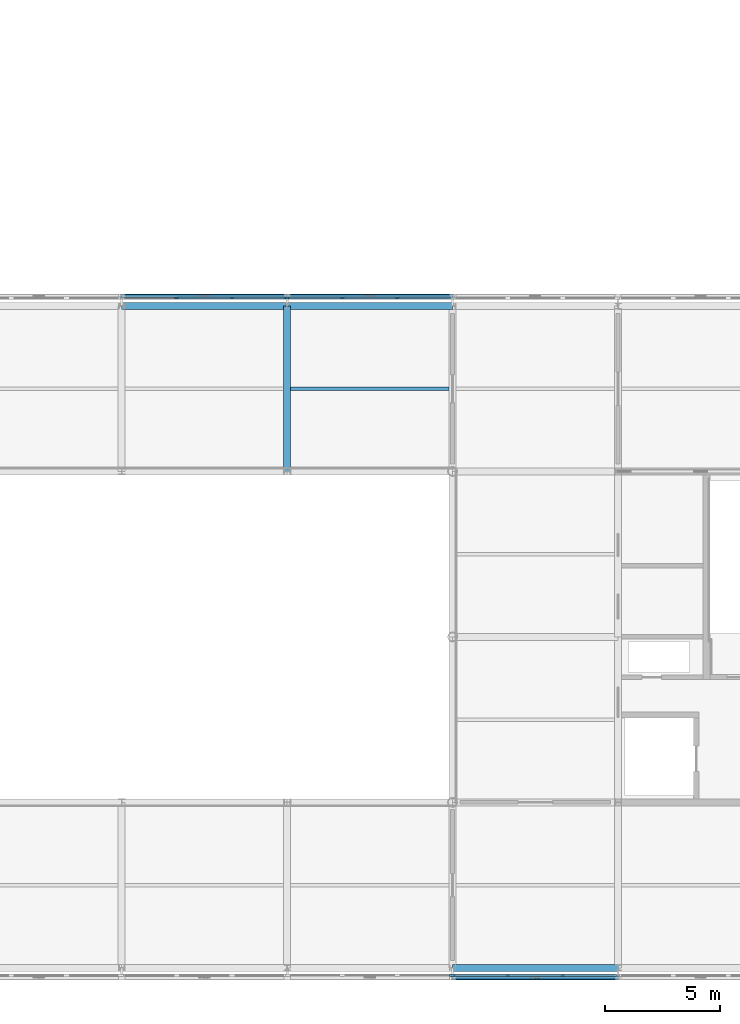
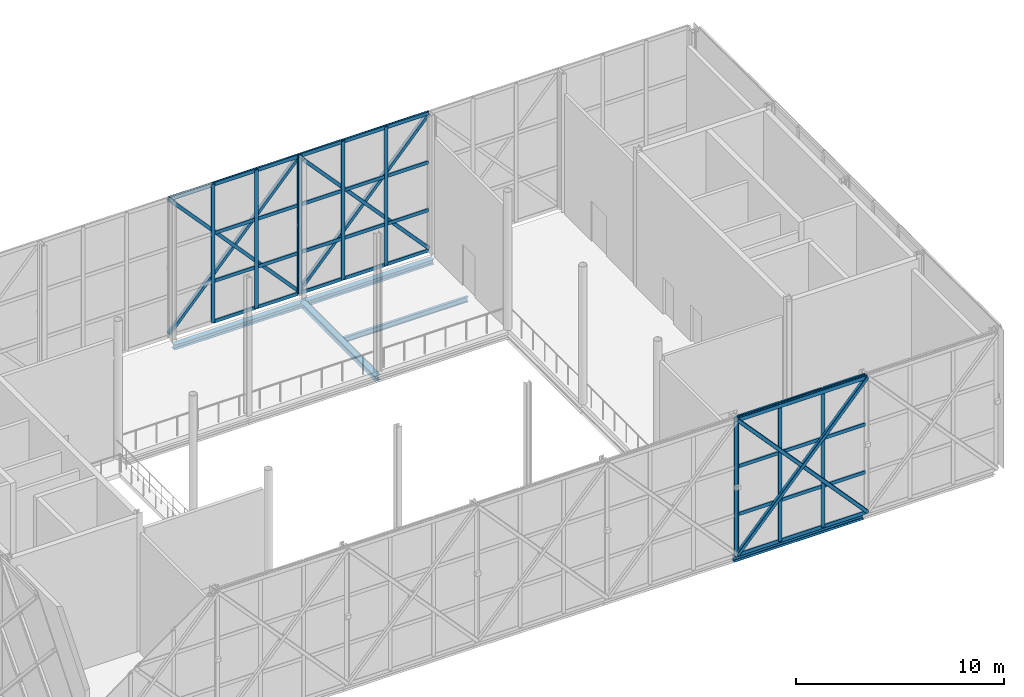
# One storey, part 17 of 76: 54 members, 5 beams, 4 elements without a shape of their own.
"""IFC4 building model written with IfcOpenShell, lengths in metres."""

from ifc_helpers import new_model, si_unit, direction, frame, origin, origin_2d, place, context, subcontext, project, spatial, rectangle, hollow_rectangle, i_section, extrude, material, material_profile, profile_set, type_object, element, aggregate, save


model = new_model("IFC4")

# Units and contexts
model_context = context("Model", 3, precision=1e-05, world=origin(), true_north=direction((0.0, 1.0)))
body_context = subcontext(model_context, "Body", "Model", "MODEL_VIEW")
ifc_project = project(units=[si_unit("LENGTHUNIT", "METRE"), si_unit("AREAUNIT", "SQUARE_METRE"), si_unit("VOLUMEUNIT", "CUBIC_METRE"), si_unit("PLANEANGLEUNIT", "RADIAN"), si_unit("MASSUNIT", "GRAM", prefix="KILO")], contexts=[model_context])

# Site, building, storey
site_placement = place(None, origin())
site = spatial("IfcSite", under=ifc_project, at=site_placement, CompositionType="ELEMENT")
building_placement = place(site_placement, origin())
building = spatial("IfcBuilding", under=site, at=building_placement, Name="Zlatovets Crest Museum", CompositionType="ELEMENT")
storey_placement = place(building_placement, frame((0.0, 0.0, 17.10009765625)))
storey = spatial("IfcBuildingStorey", under=building, at=storey_placement, Name="L04", CompositionType="ELEMENT", Elevation=17.10009765625)

# Beams
ifc_material_1 = material(Name="Structural steel S355J2", Category="steel")
ifc_material_profile_1 = material_profile(ifc_material_1, i_section(OverallWidth=0.300048828125, OverallDepth=0.31005859375, WebThickness=0.009033203125, FlangeThickness=0.015380859375, FilletRadius=0.027099609375, at=origin_2d()), Name="HEA 320")
ifc_profile_set_1 = profile_set([ifc_material_profile_1], Name="Structural steel S355J2")
beam_type_1 = type_object("IfcBeamType", Name="Beam_B-04", PredefinedType="BEAM", material=ifc_profile_set_1)
beam_1_placement = place(storey_placement, frame((86.39990234375, 21.60009765625, -0.39501953125), z_axis=(0.0, 1.0, 0.0), x_axis=(-1.0, 0.0, 0.0)))
element("IfcBeam", 1, at=beam_1_placement, inside=storey, type_object=beam_type_1, Name="V2 L04 Grid Beam B-04", PredefinedType="BEAM", context=body_context, shape_type="SweptSolid", body=[
    extrude(i_section(OverallWidth=0.300048828125, OverallDepth=0.31005859375, WebThickness=0.009033203125, FlangeThickness=0.015380859375, FilletRadius=0.027099609375, at=origin_2d()), origin(), (0.0, 0.0, 1.0), 7.199951171875),
])
ifc_material_profile_2 = material_profile(ifc_material_1, i_section(OverallWidth=0.300048828125, OverallDepth=0.2900390625, WebThickness=0.008544921875, FlangeThickness=0.013916015625, FilletRadius=0.027099609375, at=origin_2d()), Name="HEA 300")
ifc_profile_set_2 = profile_set([ifc_material_profile_2], Name="Structural steel S355J2")
beam_type_2 = type_object("IfcBeamType", Name="Beam_B-12", PredefinedType="BEAM", material=ifc_profile_set_2)
for number, where, z_axis, x_axis, name in (
    (2, (93.60009765625, 0.0, -0.385009765625), (1.0, 0.0, 0.0), (0.0, 1.0, 0.0), "V2 L04 Primary Girder B-12"),
    (3, (79.199951171875, 28.800048828125, -0.385009765625), (1.0, 0.0, 0.0), (0.0, 1.0, 0.0), "V2 L04 Primary Girder B-12"),
):
    element("IfcBeam", number, at=place(storey_placement, frame(where, z_axis=z_axis, x_axis=x_axis)), inside=storey, type_object=beam_type_2, Name=name, PredefinedType="BEAM", context=body_context, shape_type="SweptSolid", body=[
        extrude(i_section(OverallWidth=0.300048828125, OverallDepth=0.2900390625, WebThickness=0.008544921875, FlangeThickness=0.013916015625, FilletRadius=0.027099609375, at=origin_2d()), origin(), (0.0, 0.0, 1.0), 7.199951171875),
    ])
beam_2_placement = place(storey_placement, frame((86.39990234375, 28.800048828125, -0.385009765625), z_axis=(1.0, 0.0, 0.0), x_axis=(0.0, 1.0, 0.0)))
element("IfcBeam", 4, at=beam_2_placement, inside=storey, type_object=beam_type_2, Name="V2 L04 Primary Girder B-12", PredefinedType="BEAM", context=body_context, shape_type="SweptSolid", body=[
    extrude(i_section(OverallWidth=0.300048828125, OverallDepth=0.2900390625, WebThickness=0.008544921875, FlangeThickness=0.013916015625, FilletRadius=0.027099609375, at=origin_2d()), origin(), (0.0, 0.0, 1.0), 7.2001953125),
])
ifc_material_profile_3 = material_profile(ifc_material_1, i_section(OverallWidth=0.14990234375, OverallDepth=0.300048828125, WebThickness=0.007080078125, FlangeThickness=0.0107421875, FilletRadius=0.014892578125, at=origin_2d()), Name="IPE 300")
ifc_profile_set_3 = profile_set([ifc_material_profile_3], Name="Structural steel S355J2")
beam_type_3 = type_object("IfcBeamType", Name="Beam_J-02", PredefinedType="JOIST", material=ifc_profile_set_3)
beam_3_placement = place(storey_placement, frame((86.550048828125, 25.199951171875, -0.39013671875), z_axis=(1.0, 0.0, 0.0), x_axis=(0.0, 1.0, 0.0)))
element("IfcBeam", 5, at=beam_3_placement, inside=storey, type_object=beam_type_3, Name="V2 L04 Composite Joist J-02", PredefinedType="JOIST", context=body_context, shape_type="SweptSolid", body=[
    extrude(i_section(OverallWidth=0.14990234375, OverallDepth=0.300048828125, WebThickness=0.007080078125, FlangeThickness=0.0107421875, FilletRadius=0.014892578125, at=origin_2d()), origin(), (0.0, 0.0, 1.0), 6.89990234375),
])

# Curtain wall, member
ifc_material_2 = material(Name="Bronze-anodised aluminium and low-E triple glass", Category="aluminium")
curtain_wall_type_1 = type_object("IfcCurtainWallType", Name="CW_CW-V2-L04-M0", PredefinedType="NOTDEFINED", material=ifc_material_2)
curtain_wall_1_placement = place(storey_placement, origin())
curtain_wall_1 = element("IfcCurtainWall", 6, at=curtain_wall_1_placement, inside=storey, type_object=curtain_wall_type_1, Name="V2 L04 Secession Foyer Clear Curtain Wall", PredefinedType="NOTDEFINED")
ifc_material_3 = material(Name="Bronze-anodised aluminium EN AW-6060", Category="aluminium")
ifc_material_profile_4 = material_profile(ifc_material_3, rectangle(XDim=0.090087890625, YDim=0.199951171875, at=origin_2d()), Name="ALU 90x200")
ifc_profile_set_4 = profile_set([ifc_material_profile_4], Name="Bronze-anodised aluminium EN AW-6060")
member_type_1 = type_object("IfcMemberType", Name="CWMull_M2", PredefinedType="MULLION", material=ifc_profile_set_4)
member_1_placement = place(storey_placement, frame((93.570068359375, -0.340087890625, 0.0), z_axis=(0.0, 0.0, 1.0), x_axis=(0.0, 1.0, 0.0)))
member_1 = element("IfcMember", 7, at=member_1_placement, type_object=member_type_1, Name="CW-V2-L04-M0 mullion 4", PredefinedType="MULLION", context=body_context, shape_type="SweptSolid", body=[
    extrude(rectangle(XDim=0.090087890625, YDim=0.199951171875, at=origin_2d()), origin(), (0.0, 0.0, 1.0), 8.099853515625),
])
aggregate(curtain_wall_1, [member_1])

# Curtain wall, members
curtain_wall_type_2 = type_object("IfcCurtainWallType", Name="CW_CW-V2-L04-M1", PredefinedType="NOTDEFINED", material=ifc_material_2)
curtain_wall_2_placement = place(storey_placement, origin())
curtain_wall_2 = element("IfcCurtainWall", 8, at=curtain_wall_2_placement, inside=storey, type_object=curtain_wall_type_2, Name="V2 L04 Secession Foyer Clear Curtain Wall", PredefinedType="NOTDEFINED")
member_2_placement = place(storey_placement, frame((93.6298828125, -0.340087890625, 0.0), z_axis=(0.0, 0.0, 1.0), x_axis=(0.0, 1.0, 0.0)))
member_2 = element("IfcMember", 9, at=member_2_placement, type_object=member_type_1, Name="CW-V2-L04-M1 mullion 1", PredefinedType="MULLION", context=body_context, shape_type="SweptSolid", body=[
    extrude(rectangle(XDim=0.090087890625, YDim=0.199951171875, at=origin_2d()), origin(), (0.0, 0.0, 1.0), 8.099853515625),
])
member_3_placement = place(storey_placement, frame((96.0, -0.340087890625, 0.0), z_axis=(0.0, 0.0, 1.0), x_axis=(0.0, 1.0, 0.0)))
member_3 = element("IfcMember", 10, at=member_3_placement, type_object=member_type_1, Name="CW-V2-L04-M1 mullion 2", PredefinedType="MULLION", context=body_context, shape_type="SweptSolid", body=[
    extrude(rectangle(XDim=0.090087890625, YDim=0.199951171875, at=origin_2d()), origin(), (0.0, 0.0, 1.0), 8.099853515625),
])
member_4_placement = place(storey_placement, frame((98.39990234375, -0.340087890625, 0.0), z_axis=(0.0, 0.0, 1.0), x_axis=(0.0, 1.0, 0.0)))
member_4 = element("IfcMember", 11, at=member_4_placement, type_object=member_type_1, Name="CW-V2-L04-M1 mullion 3", PredefinedType="MULLION", context=body_context, shape_type="SweptSolid", body=[
    extrude(rectangle(XDim=0.090087890625, YDim=0.199951171875, at=origin_2d()), origin(), (0.0, 0.0, 1.0), 8.099853515625),
])

curtain_wall_3_placement = place(storey_placement, origin())
curtain_wall_3 = element("IfcCurtainWall", 12, at=curtain_wall_3_placement, inside=storey, type_object=curtain_wall_type_2, Name="V2 L04 Secession Foyer Clear Curtain Wall", PredefinedType="NOTDEFINED")
member_5_placement = place(storey_placement, frame((91.199951171875, 29.139892578125, 0.0), z_axis=(0.0, 0.0, 1.0), x_axis=(0.0, -1.0, 0.0)))
member_5 = element("IfcMember", 13, at=member_5_placement, type_object=member_type_1, Name="CW-V2-L04-M1 mullion 2", PredefinedType="MULLION", context=body_context, shape_type="SweptSolid", body=[
    extrude(rectangle(XDim=0.090087890625, YDim=0.199951171875, at=origin_2d()), origin(), (0.0, 0.0, 1.0), 8.099853515625),
])
member_6_placement = place(storey_placement, frame((88.800048828125, 29.139892578125, 0.0), z_axis=(0.0, 0.0, 1.0), x_axis=(0.0, -1.0, 0.0)))
member_6 = element("IfcMember", 14, at=member_6_placement, type_object=member_type_1, Name="CW-V2-L04-M1 mullion 3", PredefinedType="MULLION", context=body_context, shape_type="SweptSolid", body=[
    extrude(rectangle(XDim=0.090087890625, YDim=0.199951171875, at=origin_2d()), origin(), (0.0, 0.0, 1.0), 8.099853515625),
])
member_7_placement = place(storey_placement, frame((86.429931640625, 29.139892578125, 0.0), z_axis=(0.0, 0.0, 1.0), x_axis=(0.0, -1.0, 0.0)))
member_7 = element("IfcMember", 15, at=member_7_placement, type_object=member_type_1, Name="CW-V2-L04-M1 mullion 4", PredefinedType="MULLION", context=body_context, shape_type="SweptSolid", body=[
    extrude(rectangle(XDim=0.090087890625, YDim=0.199951171875, at=origin_2d()), origin(), (0.0, 0.0, 1.0), 8.099853515625),
])

curtain_wall_type_3 = type_object("IfcCurtainWallType", Name="CW_CW-V2-L04-M2", PredefinedType="NOTDEFINED", material=ifc_material_2)
curtain_wall_4_placement = place(storey_placement, origin())
curtain_wall_4 = element("IfcCurtainWall", 16, at=curtain_wall_4_placement, inside=storey, type_object=curtain_wall_type_3, Name="V2 L04 Secession Foyer Clear Curtain Wall", PredefinedType="NOTDEFINED")
member_8_placement = place(storey_placement, frame((86.3701171875, 29.139892578125, 0.0), z_axis=(0.0, 0.0, 1.0), x_axis=(0.0, -1.0, 0.0)))
member_8 = element("IfcMember", 17, at=member_8_placement, type_object=member_type_1, Name="CW-V2-L04-M2 mullion 1", PredefinedType="MULLION", context=body_context, shape_type="SweptSolid", body=[
    extrude(rectangle(XDim=0.090087890625, YDim=0.199951171875, at=origin_2d()), origin(), (0.0, 0.0, 1.0), 8.099853515625),
])
member_9_placement = place(storey_placement, frame((84.0, 29.139892578125, 0.0), z_axis=(0.0, 0.0, 1.0), x_axis=(0.0, -1.0, 0.0)))
member_9 = element("IfcMember", 18, at=member_9_placement, type_object=member_type_1, Name="CW-V2-L04-M2 mullion 2", PredefinedType="MULLION", context=body_context, shape_type="SweptSolid", body=[
    extrude(rectangle(XDim=0.090087890625, YDim=0.199951171875, at=origin_2d()), origin(), (0.0, 0.0, 1.0), 8.099853515625),
])
member_10_placement = place(storey_placement, frame((81.60009765625, 29.139892578125, 0.0), z_axis=(0.0, 0.0, 1.0), x_axis=(0.0, -1.0, 0.0)))
member_10 = element("IfcMember", 19, at=member_10_placement, type_object=member_type_1, Name="CW-V2-L04-M2 mullion 3", PredefinedType="MULLION", context=body_context, shape_type="SweptSolid", body=[
    extrude(rectangle(XDim=0.090087890625, YDim=0.199951171875, at=origin_2d()), origin(), (0.0, 0.0, 1.0), 8.099853515625),
])

# Member
ifc_material_profile_5 = material_profile(ifc_material_3, rectangle(XDim=0.090087890625, YDim=0.199951171875, at=origin_2d()), Name="ALU 90x200")
ifc_profile_set_5 = profile_set([ifc_material_profile_5], Name="Bronze-anodised aluminium EN AW-6060")
member_type_2 = type_object("IfcMemberType", Name="CWTrans_T2", PredefinedType="USERDEFINED", material=ifc_profile_set_5)
member_11_placement = place(storey_placement, frame((93.659912109375, -0.340087890625, 0.02978515625), z_axis=(1.0, 0.0, 0.0), x_axis=(0.0, 1.0, 0.0)))
member_11 = element("IfcMember", 20, at=member_11_placement, type_object=member_type_2, Name="CW-V2-L04-M1 transom 1.1", ObjectType="TRANSOM", PredefinedType="USERDEFINED", context=body_context, shape_type="SweptSolid", body=[
    extrude(rectangle(XDim=0.090087890625, YDim=0.199951171875, at=origin_2d()), origin(), (0.0, 0.0, 1.0), 2.31005859375),
])

member_12_placement = place(storey_placement, frame((93.659912109375, -0.340087890625, 2.39990234375), z_axis=(1.0, 0.0, 0.0), x_axis=(0.0, 1.0, 0.0)))
member_12 = element("IfcMember", 21, at=member_12_placement, type_object=member_type_2, Name="CW-V2-L04-M1 transom 1.2", ObjectType="TRANSOM", PredefinedType="USERDEFINED", context=body_context, shape_type="SweptSolid", body=[
    extrude(rectangle(XDim=0.090087890625, YDim=0.199951171875, at=origin_2d()), origin(), (0.0, 0.0, 1.0), 2.31005859375),
])

member_13_placement = place(storey_placement, frame((93.659912109375, -0.340087890625, 5.199951171875), z_axis=(1.0, 0.0, 0.0), x_axis=(0.0, 1.0, 0.0)))
member_13 = element("IfcMember", 22, at=member_13_placement, type_object=member_type_2, Name="CW-V2-L04-M1 transom 1.3", ObjectType="TRANSOM", PredefinedType="USERDEFINED", context=body_context, shape_type="SweptSolid", body=[
    extrude(rectangle(XDim=0.090087890625, YDim=0.199951171875, at=origin_2d()), origin(), (0.0, 0.0, 1.0), 2.31005859375),
])

member_14_placement = place(storey_placement, frame((93.659912109375, -0.340087890625, 8.06982421875), z_axis=(1.0, 0.0, 0.0), x_axis=(0.0, 1.0, 0.0)))
member_14 = element("IfcMember", 23, at=member_14_placement, type_object=member_type_2, Name="CW-V2-L04-M1 transom 1.4", ObjectType="TRANSOM", PredefinedType="USERDEFINED", context=body_context, shape_type="SweptSolid", body=[
    extrude(rectangle(XDim=0.090087890625, YDim=0.199951171875, at=origin_2d()), origin(), (0.0, 0.0, 1.0), 2.31005859375),
])

member_15_placement = place(storey_placement, frame((96.030029296875, -0.340087890625, 0.02978515625), z_axis=(1.0, 0.0, 0.0), x_axis=(0.0, 1.0, 0.0)))
member_15 = element("IfcMember", 24, at=member_15_placement, type_object=member_type_2, Name="CW-V2-L04-M1 transom 2.1", ObjectType="TRANSOM", PredefinedType="USERDEFINED", context=body_context, shape_type="SweptSolid", body=[
    extrude(rectangle(XDim=0.090087890625, YDim=0.199951171875, at=origin_2d()), origin(), (0.0, 0.0, 1.0), 2.340087890625),
])

member_16_placement = place(storey_placement, frame((96.030029296875, -0.340087890625, 2.39990234375), z_axis=(1.0, 0.0, 0.0), x_axis=(0.0, 1.0, 0.0)))
member_16 = element("IfcMember", 25, at=member_16_placement, type_object=member_type_2, Name="CW-V2-L04-M1 transom 2.2", ObjectType="TRANSOM", PredefinedType="USERDEFINED", context=body_context, shape_type="SweptSolid", body=[
    extrude(rectangle(XDim=0.090087890625, YDim=0.199951171875, at=origin_2d()), origin(), (0.0, 0.0, 1.0), 2.340087890625),
])

member_17_placement = place(storey_placement, frame((96.030029296875, -0.340087890625, 5.199951171875), z_axis=(1.0, 0.0, 0.0), x_axis=(0.0, 1.0, 0.0)))
member_17 = element("IfcMember", 26, at=member_17_placement, type_object=member_type_2, Name="CW-V2-L04-M1 transom 2.3", ObjectType="TRANSOM", PredefinedType="USERDEFINED", context=body_context, shape_type="SweptSolid", body=[
    extrude(rectangle(XDim=0.090087890625, YDim=0.199951171875, at=origin_2d()), origin(), (0.0, 0.0, 1.0), 2.340087890625),
])

member_18_placement = place(storey_placement, frame((96.030029296875, -0.340087890625, 8.06982421875), z_axis=(1.0, 0.0, 0.0), x_axis=(0.0, 1.0, 0.0)))
member_18 = element("IfcMember", 27, at=member_18_placement, type_object=member_type_2, Name="CW-V2-L04-M1 transom 2.4", ObjectType="TRANSOM", PredefinedType="USERDEFINED", context=body_context, shape_type="SweptSolid", body=[
    extrude(rectangle(XDim=0.090087890625, YDim=0.199951171875, at=origin_2d()), origin(), (0.0, 0.0, 1.0), 2.340087890625),
])

member_19_placement = place(storey_placement, frame((98.429931640625, -0.340087890625, 0.02978515625), z_axis=(1.0, 0.0, 0.0), x_axis=(0.0, 1.0, 0.0)))
member_19 = element("IfcMember", 28, at=member_19_placement, type_object=member_type_2, Name="CW-V2-L04-M1 transom 3.1", ObjectType="TRANSOM", PredefinedType="USERDEFINED", context=body_context, shape_type="SweptSolid", body=[
    extrude(rectangle(XDim=0.090087890625, YDim=0.199951171875, at=origin_2d()), origin(), (0.0, 0.0, 1.0), 2.31005859375),
])

member_20_placement = place(storey_placement, frame((98.429931640625, -0.340087890625, 2.39990234375), z_axis=(1.0, 0.0, 0.0), x_axis=(0.0, 1.0, 0.0)))
member_20 = element("IfcMember", 29, at=member_20_placement, type_object=member_type_2, Name="CW-V2-L04-M1 transom 3.2", ObjectType="TRANSOM", PredefinedType="USERDEFINED", context=body_context, shape_type="SweptSolid", body=[
    extrude(rectangle(XDim=0.090087890625, YDim=0.199951171875, at=origin_2d()), origin(), (0.0, 0.0, 1.0), 2.31005859375),
])

member_21_placement = place(storey_placement, frame((98.429931640625, -0.340087890625, 5.199951171875), z_axis=(1.0, 0.0, 0.0), x_axis=(0.0, 1.0, 0.0)))
member_21 = element("IfcMember", 30, at=member_21_placement, type_object=member_type_2, Name="CW-V2-L04-M1 transom 3.3", ObjectType="TRANSOM", PredefinedType="USERDEFINED", context=body_context, shape_type="SweptSolid", body=[
    extrude(rectangle(XDim=0.090087890625, YDim=0.199951171875, at=origin_2d()), origin(), (0.0, 0.0, 1.0), 2.31005859375),
])

member_22_placement = place(storey_placement, frame((98.429931640625, -0.340087890625, 8.06982421875), z_axis=(1.0, 0.0, 0.0), x_axis=(0.0, 1.0, 0.0)))
member_22 = element("IfcMember", 31, at=member_22_placement, type_object=member_type_2, Name="CW-V2-L04-M1 transom 3.4", ObjectType="TRANSOM", PredefinedType="USERDEFINED", context=body_context, shape_type="SweptSolid", body=[
    extrude(rectangle(XDim=0.090087890625, YDim=0.199951171875, at=origin_2d()), origin(), (0.0, 0.0, 1.0), 2.31005859375),
])

aggregate(curtain_wall_2, [member_2, member_3, member_4, member_11, member_12, member_13, member_14, member_15, member_16, member_17, member_18, member_19, member_20, member_21, member_22])

member_23_placement = place(storey_placement, frame((93.5400390625, 29.139892578125, 0.02978515625), z_axis=(-1.0, 0.0, 0.0), x_axis=(0.0, -1.0, 0.0)))
member_23 = element("IfcMember", 32, at=member_23_placement, type_object=member_type_2, Name="CW-V2-L04-M1 transom 1.1", ObjectType="TRANSOM", PredefinedType="USERDEFINED", context=body_context, shape_type="SweptSolid", body=[
    extrude(rectangle(XDim=0.090087890625, YDim=0.199951171875, at=origin_2d()), origin(), (0.0, 0.0, 1.0), 2.31005859375),
])

member_24_placement = place(storey_placement, frame((93.5400390625, 29.139892578125, 2.39990234375), z_axis=(-1.0, 0.0, 0.0), x_axis=(0.0, -1.0, 0.0)))
member_24 = element("IfcMember", 33, at=member_24_placement, type_object=member_type_2, Name="CW-V2-L04-M1 transom 1.2", ObjectType="TRANSOM", PredefinedType="USERDEFINED", context=body_context, shape_type="SweptSolid", body=[
    extrude(rectangle(XDim=0.090087890625, YDim=0.199951171875, at=origin_2d()), origin(), (0.0, 0.0, 1.0), 2.31005859375),
])

member_25_placement = place(storey_placement, frame((93.5400390625, 29.139892578125, 5.199951171875), z_axis=(-1.0, 0.0, 0.0), x_axis=(0.0, -1.0, 0.0)))
member_25 = element("IfcMember", 34, at=member_25_placement, type_object=member_type_2, Name="CW-V2-L04-M1 transom 1.3", ObjectType="TRANSOM", PredefinedType="USERDEFINED", context=body_context, shape_type="SweptSolid", body=[
    extrude(rectangle(XDim=0.090087890625, YDim=0.199951171875, at=origin_2d()), origin(), (0.0, 0.0, 1.0), 2.31005859375),
])

member_26_placement = place(storey_placement, frame((93.5400390625, 29.139892578125, 8.06982421875), z_axis=(-1.0, 0.0, 0.0), x_axis=(0.0, -1.0, 0.0)))
member_26 = element("IfcMember", 35, at=member_26_placement, type_object=member_type_2, Name="CW-V2-L04-M1 transom 1.4", ObjectType="TRANSOM", PredefinedType="USERDEFINED", context=body_context, shape_type="SweptSolid", body=[
    extrude(rectangle(XDim=0.090087890625, YDim=0.199951171875, at=origin_2d()), origin(), (0.0, 0.0, 1.0), 2.31005859375),
])

member_27_placement = place(storey_placement, frame((91.169921875, 29.139892578125, 0.02978515625), z_axis=(-1.0, 0.0, 0.0), x_axis=(0.0, -1.0, 0.0)))
member_27 = element("IfcMember", 36, at=member_27_placement, type_object=member_type_2, Name="CW-V2-L04-M1 transom 2.1", ObjectType="TRANSOM", PredefinedType="USERDEFINED", context=body_context, shape_type="SweptSolid", body=[
    extrude(rectangle(XDim=0.090087890625, YDim=0.199951171875, at=origin_2d()), origin(), (0.0, 0.0, 1.0), 2.33984375),
])

member_28_placement = place(storey_placement, frame((91.169921875, 29.139892578125, 2.39990234375), z_axis=(-1.0, 0.0, 0.0), x_axis=(0.0, -1.0, 0.0)))
member_28 = element("IfcMember", 37, at=member_28_placement, type_object=member_type_2, Name="CW-V2-L04-M1 transom 2.2", ObjectType="TRANSOM", PredefinedType="USERDEFINED", context=body_context, shape_type="SweptSolid", body=[
    extrude(rectangle(XDim=0.090087890625, YDim=0.199951171875, at=origin_2d()), origin(), (0.0, 0.0, 1.0), 2.33984375),
])

member_29_placement = place(storey_placement, frame((91.169921875, 29.139892578125, 5.199951171875), z_axis=(-1.0, 0.0, 0.0), x_axis=(0.0, -1.0, 0.0)))
member_29 = element("IfcMember", 38, at=member_29_placement, type_object=member_type_2, Name="CW-V2-L04-M1 transom 2.3", ObjectType="TRANSOM", PredefinedType="USERDEFINED", context=body_context, shape_type="SweptSolid", body=[
    extrude(rectangle(XDim=0.090087890625, YDim=0.199951171875, at=origin_2d()), origin(), (0.0, 0.0, 1.0), 2.33984375),
])

member_30_placement = place(storey_placement, frame((91.169921875, 29.139892578125, 8.06982421875), z_axis=(-1.0, 0.0, 0.0), x_axis=(0.0, -1.0, 0.0)))
member_30 = element("IfcMember", 39, at=member_30_placement, type_object=member_type_2, Name="CW-V2-L04-M1 transom 2.4", ObjectType="TRANSOM", PredefinedType="USERDEFINED", context=body_context, shape_type="SweptSolid", body=[
    extrude(rectangle(XDim=0.090087890625, YDim=0.199951171875, at=origin_2d()), origin(), (0.0, 0.0, 1.0), 2.33984375),
])

member_31_placement = place(storey_placement, frame((88.77001953125, 29.139892578125, 0.02978515625), z_axis=(-1.0, 0.0, 0.0), x_axis=(0.0, -1.0, 0.0)))
member_31 = element("IfcMember", 40, at=member_31_placement, type_object=member_type_2, Name="CW-V2-L04-M1 transom 3.1", ObjectType="TRANSOM", PredefinedType="USERDEFINED", context=body_context, shape_type="SweptSolid", body=[
    extrude(rectangle(XDim=0.090087890625, YDim=0.199951171875, at=origin_2d()), origin(), (0.0, 0.0, 1.0), 2.31005859375),
])

member_32_placement = place(storey_placement, frame((88.77001953125, 29.139892578125, 2.39990234375), z_axis=(-1.0, 0.0, 0.0), x_axis=(0.0, -1.0, 0.0)))
member_32 = element("IfcMember", 41, at=member_32_placement, type_object=member_type_2, Name="CW-V2-L04-M1 transom 3.2", ObjectType="TRANSOM", PredefinedType="USERDEFINED", context=body_context, shape_type="SweptSolid", body=[
    extrude(rectangle(XDim=0.090087890625, YDim=0.199951171875, at=origin_2d()), origin(), (0.0, 0.0, 1.0), 2.31005859375),
])

member_33_placement = place(storey_placement, frame((88.77001953125, 29.139892578125, 5.199951171875), z_axis=(-1.0, 0.0, 0.0), x_axis=(0.0, -1.0, 0.0)))
member_33 = element("IfcMember", 42, at=member_33_placement, type_object=member_type_2, Name="CW-V2-L04-M1 transom 3.3", ObjectType="TRANSOM", PredefinedType="USERDEFINED", context=body_context, shape_type="SweptSolid", body=[
    extrude(rectangle(XDim=0.090087890625, YDim=0.199951171875, at=origin_2d()), origin(), (0.0, 0.0, 1.0), 2.31005859375),
])

member_34_placement = place(storey_placement, frame((88.77001953125, 29.139892578125, 8.06982421875), z_axis=(-1.0, 0.0, 0.0), x_axis=(0.0, -1.0, 0.0)))
member_34 = element("IfcMember", 43, at=member_34_placement, type_object=member_type_2, Name="CW-V2-L04-M1 transom 3.4", ObjectType="TRANSOM", PredefinedType="USERDEFINED", context=body_context, shape_type="SweptSolid", body=[
    extrude(rectangle(XDim=0.090087890625, YDim=0.199951171875, at=origin_2d()), origin(), (0.0, 0.0, 1.0), 2.31005859375),
])

aggregate(curtain_wall_3, [member_5, member_6, member_7, member_23, member_24, member_25, member_26, member_27, member_28, member_29, member_30, member_31, member_32, member_33, member_34])

member_35_placement = place(storey_placement, frame((86.340087890625, 29.139892578125, 0.02978515625), z_axis=(-1.0, 0.0, 0.0), x_axis=(0.0, -1.0, 0.0)))
member_35 = element("IfcMember", 44, at=member_35_placement, type_object=member_type_2, Name="CW-V2-L04-M2 transom 1.1", ObjectType="TRANSOM", PredefinedType="USERDEFINED", context=body_context, shape_type="SweptSolid", body=[
    extrude(rectangle(XDim=0.090087890625, YDim=0.199951171875, at=origin_2d()), origin(), (0.0, 0.0, 1.0), 2.31005859375),
])

member_36_placement = place(storey_placement, frame((86.340087890625, 29.139892578125, 2.39990234375), z_axis=(-1.0, 0.0, 0.0), x_axis=(0.0, -1.0, 0.0)))
member_36 = element("IfcMember", 45, at=member_36_placement, type_object=member_type_2, Name="CW-V2-L04-M2 transom 1.2", ObjectType="TRANSOM", PredefinedType="USERDEFINED", context=body_context, shape_type="SweptSolid", body=[
    extrude(rectangle(XDim=0.090087890625, YDim=0.199951171875, at=origin_2d()), origin(), (0.0, 0.0, 1.0), 2.31005859375),
])

member_37_placement = place(storey_placement, frame((86.340087890625, 29.139892578125, 5.199951171875), z_axis=(-1.0, 0.0, 0.0), x_axis=(0.0, -1.0, 0.0)))
member_37 = element("IfcMember", 46, at=member_37_placement, type_object=member_type_2, Name="CW-V2-L04-M2 transom 1.3", ObjectType="TRANSOM", PredefinedType="USERDEFINED", context=body_context, shape_type="SweptSolid", body=[
    extrude(rectangle(XDim=0.090087890625, YDim=0.199951171875, at=origin_2d()), origin(), (0.0, 0.0, 1.0), 2.31005859375),
])

member_38_placement = place(storey_placement, frame((86.340087890625, 29.139892578125, 8.06982421875), z_axis=(-1.0, 0.0, 0.0), x_axis=(0.0, -1.0, 0.0)))
member_38 = element("IfcMember", 47, at=member_38_placement, type_object=member_type_2, Name="CW-V2-L04-M2 transom 1.4", ObjectType="TRANSOM", PredefinedType="USERDEFINED", context=body_context, shape_type="SweptSolid", body=[
    extrude(rectangle(XDim=0.090087890625, YDim=0.199951171875, at=origin_2d()), origin(), (0.0, 0.0, 1.0), 2.31005859375),
])

member_39_placement = place(storey_placement, frame((83.969970703125, 29.139892578125, 0.02978515625), z_axis=(-1.0, 0.0, 0.0), x_axis=(0.0, -1.0, 0.0)))
member_39 = element("IfcMember", 48, at=member_39_placement, type_object=member_type_2, Name="CW-V2-L04-M2 transom 2.1", ObjectType="TRANSOM", PredefinedType="USERDEFINED", context=body_context, shape_type="SweptSolid", body=[
    extrude(rectangle(XDim=0.090087890625, YDim=0.199951171875, at=origin_2d()), origin(), (0.0, 0.0, 1.0), 2.340087890625),
])

member_40_placement = place(storey_placement, frame((83.969970703125, 29.139892578125, 2.39990234375), z_axis=(-1.0, 0.0, 0.0), x_axis=(0.0, -1.0, 0.0)))
member_40 = element("IfcMember", 49, at=member_40_placement, type_object=member_type_2, Name="CW-V2-L04-M2 transom 2.2", ObjectType="TRANSOM", PredefinedType="USERDEFINED", context=body_context, shape_type="SweptSolid", body=[
    extrude(rectangle(XDim=0.090087890625, YDim=0.199951171875, at=origin_2d()), origin(), (0.0, 0.0, 1.0), 2.340087890625),
])

member_41_placement = place(storey_placement, frame((83.969970703125, 29.139892578125, 5.199951171875), z_axis=(-1.0, 0.0, 0.0), x_axis=(0.0, -1.0, 0.0)))
member_41 = element("IfcMember", 50, at=member_41_placement, type_object=member_type_2, Name="CW-V2-L04-M2 transom 2.3", ObjectType="TRANSOM", PredefinedType="USERDEFINED", context=body_context, shape_type="SweptSolid", body=[
    extrude(rectangle(XDim=0.090087890625, YDim=0.199951171875, at=origin_2d()), origin(), (0.0, 0.0, 1.0), 2.340087890625),
])

member_42_placement = place(storey_placement, frame((83.969970703125, 29.139892578125, 8.06982421875), z_axis=(-1.0, 0.0, 0.0), x_axis=(0.0, -1.0, 0.0)))
member_42 = element("IfcMember", 51, at=member_42_placement, type_object=member_type_2, Name="CW-V2-L04-M2 transom 2.4", ObjectType="TRANSOM", PredefinedType="USERDEFINED", context=body_context, shape_type="SweptSolid", body=[
    extrude(rectangle(XDim=0.090087890625, YDim=0.199951171875, at=origin_2d()), origin(), (0.0, 0.0, 1.0), 2.340087890625),
])

aggregate(curtain_wall_4, [member_8, member_9, member_10, member_35, member_36, member_37, member_38, member_39, member_40, member_41, member_42])

# Members
ifc_material_4 = material(Name="Weathering bronze-steel S355J2W", Category="steel")
ifc_material_profile_6 = material_profile(ifc_material_4, hollow_rectangle(XDim=0.199951171875, YDim=0.199951171875, WallThickness=0.012451171875, InnerFilletRadius=0.012451171875, OuterFilletRadius=0.02490234375, at=origin_2d()), Name="SHS 200x200x12.5")
ifc_profile_set_6 = profile_set([ifc_material_profile_6], Name="Weathering bronze-steel S355J2W")
member_type_3 = type_object("IfcMemberType", Name="Lattice_XL-02", PredefinedType="BRACE", material=ifc_profile_set_6)
member_43_placement = place(storey_placement, frame((93.60009765625, -0.419921875, 0.099853515625), z_axis=(0.673594270156, 0.0, 0.739101318639), x_axis=(0.0, 1.0, 0.0)))
element("IfcMember", 52, at=member_43_placement, inside=storey, type_object=member_type_3, Name="Continuous Bronze Lattice Diagonal", PredefinedType="BRACE", context=body_context, shape_type="SweptSolid", body=[
    extrude(hollow_rectangle(XDim=0.199951171875, YDim=0.199951171875, WallThickness=0.012451171875, InnerFilletRadius=0.012451171875, OuterFilletRadius=0.02490234375, at=origin_2d()), origin(), (0.0, 0.0, 1.0), 10.68896484375),
])
member_44_placement = place(storey_placement, frame((93.60009765625, -0.419921875, 8.0), z_axis=(0.673582041572, 0.0, -0.73911246321), x_axis=(0.0, 1.0, 0.0)))
element("IfcMember", 53, at=member_44_placement, inside=storey, type_object=member_type_3, Name="Split Crossing Bronze Lattice Diagonal Upper", PredefinedType="BRACE", context=body_context, shape_type="SweptSolid", body=[
    extrude(hollow_rectangle(XDim=0.199951171875, YDim=0.199951171875, WallThickness=0.012451171875, InnerFilletRadius=0.012451171875, OuterFilletRadius=0.02490234375, at=origin_2d()), origin(), (0.0, 0.0, 1.0), 5.249267578125),
])
member_45_placement = place(storey_placement, frame((97.263916015625, -0.419921875, 3.979736328125), z_axis=(0.673607447357, 0.0, -0.739089309127), x_axis=(0.0, 1.0, 0.0)))
element("IfcMember", 54, at=member_45_placement, inside=storey, type_object=member_type_3, Name="Split Crossing Bronze Lattice Diagonal Lower", PredefinedType="BRACE", context=body_context, shape_type="SweptSolid", body=[
    extrude(hollow_rectangle(XDim=0.199951171875, YDim=0.199951171875, WallThickness=0.012451171875, InnerFilletRadius=0.012451171875, OuterFilletRadius=0.02490234375, at=origin_2d()), origin(), (0.0, 0.0, 1.0), 5.24951171875),
])
member_46_placement = place(storey_placement, frame((93.60009765625, 29.219970703125, 0.099853515625), z_axis=(-0.673606747059, 0.0, 0.739089947379), x_axis=(0.0, -1.0, 0.0)))
element("IfcMember", 55, at=member_46_placement, inside=storey, type_object=member_type_3, Name="Continuous Bronze Lattice Diagonal", PredefinedType="BRACE", context=body_context, shape_type="SweptSolid", body=[
    extrude(hollow_rectangle(XDim=0.199951171875, YDim=0.199951171875, WallThickness=0.012451171875, InnerFilletRadius=0.012451171875, OuterFilletRadius=0.02490234375, at=origin_2d()), origin(), (0.0, 0.0, 1.0), 10.68896484375),
])
for number, where, z_axis, x_axis, name in (
    (56, (93.60009765625, 29.219970703125, 8.0), (-0.673607447357, 0.0, -0.739089309127), (0.0, -1.0, 0.0), "Split Crossing Bronze Lattice Diagonal Upper"),
    (57, (89.93603515625, 29.219970703125, 3.979736328125), (-0.673607447357, 0.0, -0.739089309127), (0.0, -1.0, 0.0), "Split Crossing Bronze Lattice Diagonal Lower"),
):
    element("IfcMember", number, at=place(storey_placement, frame(where, z_axis=z_axis, x_axis=x_axis)), inside=storey, type_object=member_type_3, Name=name, PredefinedType="BRACE", context=body_context, shape_type="SweptSolid", body=[
        extrude(hollow_rectangle(XDim=0.199951171875, YDim=0.199951171875, WallThickness=0.012451171875, InnerFilletRadius=0.012451171875, OuterFilletRadius=0.02490234375, at=origin_2d()), origin(), (0.0, 0.0, 1.0), 5.24951171875),
    ])
member_47_placement = place(storey_placement, frame((86.39990234375, 29.219970703125, 0.099853515625), z_axis=(-0.673594270156, 0.0, 0.739101318639), x_axis=(0.0, -1.0, 0.0)))
element("IfcMember", 58, at=member_47_placement, inside=storey, type_object=member_type_3, Name="Continuous Bronze Lattice Diagonal", PredefinedType="BRACE", context=body_context, shape_type="SweptSolid", body=[
    extrude(hollow_rectangle(XDim=0.199951171875, YDim=0.199951171875, WallThickness=0.012451171875, InnerFilletRadius=0.012451171875, OuterFilletRadius=0.02490234375, at=origin_2d()), origin(), (0.0, 0.0, 1.0), 10.68896484375),
])
member_48_placement = place(storey_placement, frame((86.39990234375, 29.219970703125, 8.0), z_axis=(-0.673582041572, 0.0, -0.73911246321), x_axis=(0.0, -1.0, 0.0)))
element("IfcMember", 59, at=member_48_placement, inside=storey, type_object=member_type_3, Name="Split Crossing Bronze Lattice Diagonal Upper", PredefinedType="BRACE", context=body_context, shape_type="SweptSolid", body=[
    extrude(hollow_rectangle(XDim=0.199951171875, YDim=0.199951171875, WallThickness=0.012451171875, InnerFilletRadius=0.012451171875, OuterFilletRadius=0.02490234375, at=origin_2d()), origin(), (0.0, 0.0, 1.0), 5.249267578125),
])
member_49_placement = place(storey_placement, frame((82.736083984375, 29.219970703125, 3.979736328125), z_axis=(-0.673607447357, 0.0, -0.739089309127), x_axis=(0.0, -1.0, 0.0)))
element("IfcMember", 60, at=member_49_placement, inside=storey, type_object=member_type_3, Name="Split Crossing Bronze Lattice Diagonal Lower", PredefinedType="BRACE", context=body_context, shape_type="SweptSolid", body=[
    extrude(hollow_rectangle(XDim=0.199951171875, YDim=0.199951171875, WallThickness=0.012451171875, InnerFilletRadius=0.012451171875, OuterFilletRadius=0.02490234375, at=origin_2d()), origin(), (0.0, 0.0, 1.0), 5.24951171875),
])
ifc_material_profile_7 = material_profile(ifc_material_4, hollow_rectangle(XDim=0.1201171875, YDim=0.239990234375, WallThickness=0.010009765625, InnerFilletRadius=0.010009765625, OuterFilletRadius=0.02001953125, at=origin_2d()), Name="RHS 120x240x10.0")
ifc_profile_set_7 = profile_set([ifc_material_profile_7], Name="Weathering bronze-steel S355J2W")
member_type_4 = type_object("IfcMemberType", Name="Lattice_XL-04", PredefinedType="CHORD", material=ifc_profile_set_7)
member_50_placement = place(storey_placement, frame((93.60009765625, -0.419921875, 8.0), z_axis=(1.0, 0.0, 0.0), x_axis=(0.0, 1.0, 0.0)))
element("IfcMember", 61, at=member_50_placement, inside=storey, type_object=member_type_4, Name="Art Nouveau Woven Cage Collector Ring Chord", PredefinedType="CHORD", context=body_context, shape_type="SweptSolid", body=[
    extrude(hollow_rectangle(XDim=0.1201171875, YDim=0.239990234375, WallThickness=0.010009765625, InnerFilletRadius=0.010009765625, OuterFilletRadius=0.02001953125, at=origin_2d()), origin(), (0.0, 0.0, 1.0), 7.199951171875),
])
member_51_placement = place(storey_placement, frame((93.60009765625, 29.219970703125, 8.0), z_axis=(-1.0, 0.0, 0.0), x_axis=(0.0, -1.0, 0.0)))
element("IfcMember", 62, at=member_51_placement, inside=storey, type_object=member_type_4, Name="Art Nouveau Woven Cage Collector Ring Chord", PredefinedType="CHORD", context=body_context, shape_type="SweptSolid", body=[
    extrude(hollow_rectangle(XDim=0.1201171875, YDim=0.239990234375, WallThickness=0.010009765625, InnerFilletRadius=0.010009765625, OuterFilletRadius=0.02001953125, at=origin_2d()), origin(), (0.0, 0.0, 1.0), 7.2001953125),
])
member_52_placement = place(storey_placement, frame((86.39990234375, 29.219970703125, 8.0), z_axis=(-1.0, 0.0, 0.0), x_axis=(0.0, -1.0, 0.0)))
element("IfcMember", 63, at=member_52_placement, inside=storey, type_object=member_type_4, Name="Art Nouveau Woven Cage Collector Ring Chord", PredefinedType="CHORD", context=body_context, shape_type="SweptSolid", body=[
    extrude(hollow_rectangle(XDim=0.1201171875, YDim=0.239990234375, WallThickness=0.010009765625, InnerFilletRadius=0.010009765625, OuterFilletRadius=0.02001953125, at=origin_2d()), origin(), (0.0, 0.0, 1.0), 7.199951171875),
])

save(model, "model.ifc")
